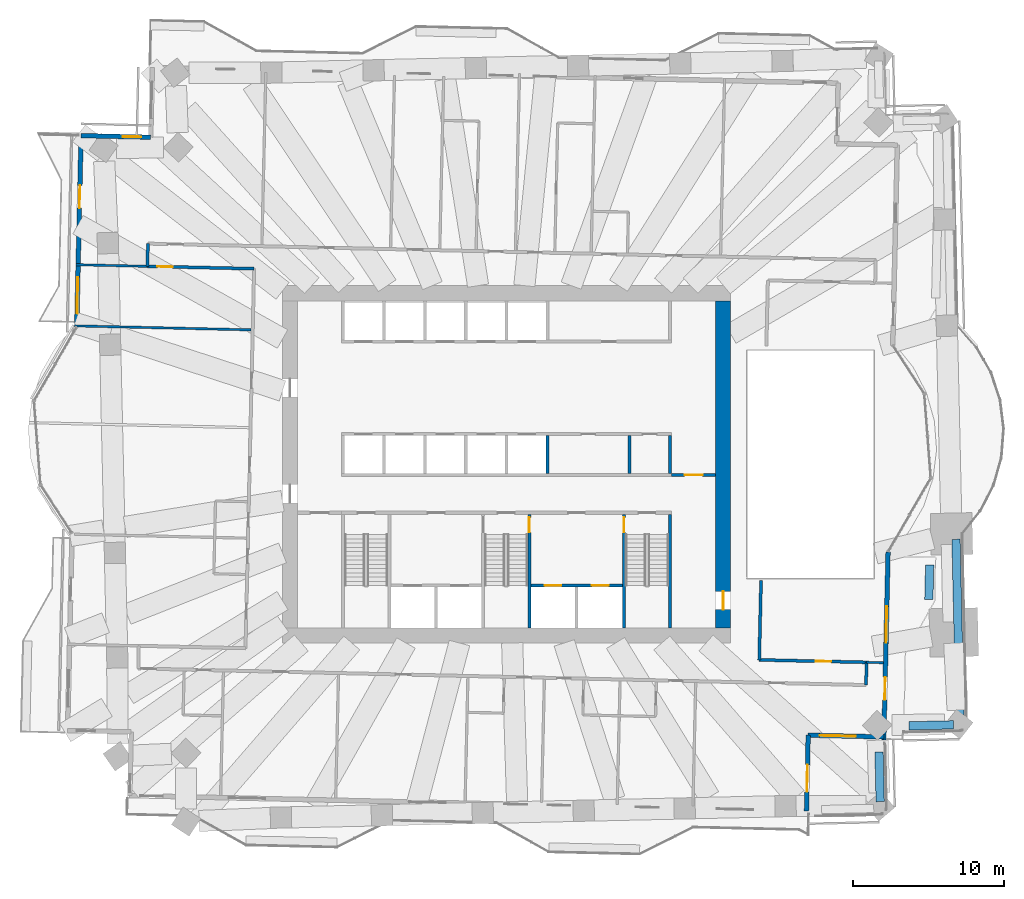
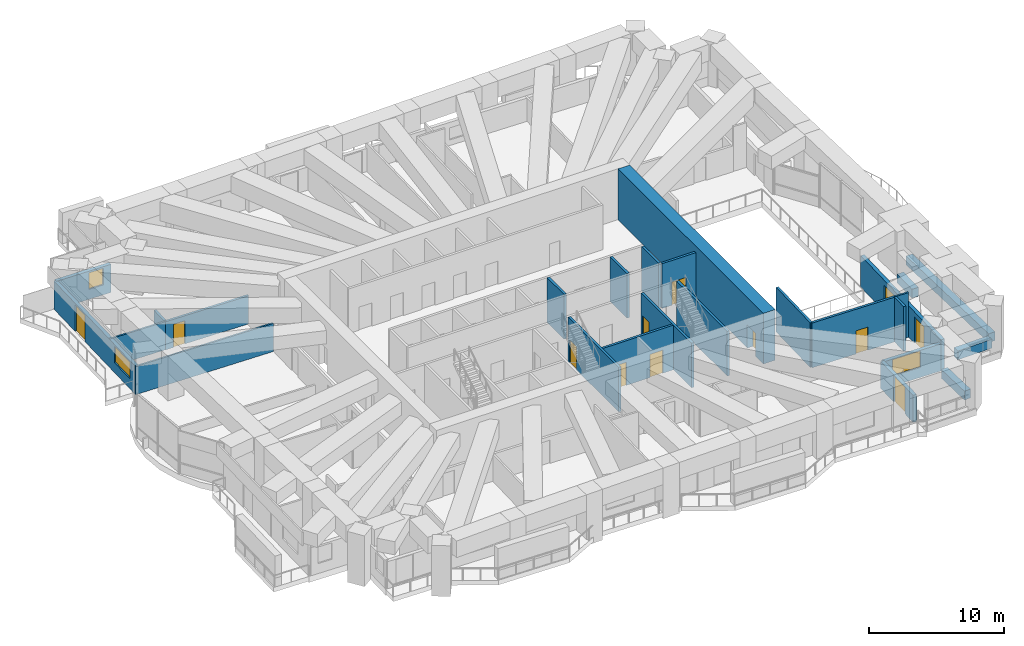
# One storey, part 12 of 20: 26 walls, 11 doors, 4 windows, 15 openings.
"""IFC4 building model written with IfcOpenShell, lengths in metres."""

from ifc_helpers import new_model, si_unit, direction, frame, frame_2d, origin, place, context, subcontext, project, spatial, rectangle, extrude, material, layer, layer_set, type_object, element, fill, save


model = new_model("IFC4")

# Units and contexts
model_context = context("Model", 3, precision=1e-05, world=origin(), true_north=direction((0.0, 1.0)))
body_context = subcontext(model_context, "Body", "Model", "MODEL_VIEW")
ifc_project = project(units=[si_unit("LENGTHUNIT", "METRE"), si_unit("AREAUNIT", "SQUARE_METRE"), si_unit("VOLUMEUNIT", "CUBIC_METRE"), si_unit("PLANEANGLEUNIT", "RADIAN"), si_unit("MASSUNIT", "GRAM", prefix="KILO")], contexts=[model_context])

# Site, building, storey
site_placement = place(None, origin())
site = spatial("IfcSite", under=ifc_project, at=site_placement, CompositionType="ELEMENT")
building_placement = place(site_placement, origin())
building = spatial("IfcBuilding", under=site, at=building_placement, Name="Mangrove Gate Tower", CompositionType="ELEMENT")
storey_placement = place(building_placement, frame((0.0, 0.0, 97.300048828125)))
storey = spatial("IfcBuildingStorey", under=building, at=storey_placement, Name="L24", CompositionType="ELEMENT", Elevation=97.300048828125)

# Wall, opening, door
ifc_material_1 = material(Name="Concrete C32/40", Category="concrete")
ifc_layer_1 = layer(ifc_material_1, 0.199951171875)
ifc_layer_set_1 = layer_set([ifc_layer_1], Name="Core lobby wall 200 C32/40")
wall_type_1 = type_object("IfcWallType", Name="Core lobby wall 200 C32/40", PredefinedType="STANDARD", material=ifc_layer_set_1)
wall_1_placement = place(storey_placement, frame((10.89990234375, -0.699951171875, 0.0), z_axis=(0.0, 0.0, 1.0), x_axis=(1.0, 0.0, 0.0)))
wall_1 = element("IfcWall", 1, at=wall_1_placement, inside=storey, type_object=wall_type_1, Name="WALL-L24-CORE-35", PredefinedType="STANDARD", context=body_context, shape_type="SweptSolid", body=[
    extrude(rectangle(XDim=2.900146484375, YDim=0.199951171875, at=frame_2d((1.4501953125, 0.0))), origin(), (0.0, 0.0, 1.0), 4.050048828125),
])
opening_1_placement = place(wall_1_placement, frame((0.85009765625, 0.0, 0.0)))
opening_1 = element("IfcOpeningElement", 2, at=opening_1_placement, cuts=wall_1, Name="Opening FL12", PredefinedType="OPENING", context=body_context, shape_type="SweptSolid", body=[
    extrude(rectangle(XDim=1.199951171875, YDim=2.10009765625, at=frame_2d((0.60009765625, 1.050048828125))), frame((0.0, 0.10986328125, 0.0), z_axis=(0.0, -1.0, 0.0), x_axis=(1.0, 0.0, 0.0)), (0.0, 0.0, 1.0), 0.219970703125),
])
ifc_material_2 = material(Name="Fire-rated steel door set", Category="steel")
door_type_1 = type_object("IfcDoorType", Name="Lobby door FD60 1200x2100", OperationType="SINGLE_SWING_LEFT", PredefinedType="DOOR", material=ifc_material_2)
door_1_placement = place(opening_1_placement, origin())
door_1 = element("IfcDoor", 3, at=door_1_placement, inside=storey, type_object=door_type_1, Name="Lobby door core corridor E partition", OperationType="SINGLE_SWING_LEFT", OverallHeight=2.10009765625, OverallWidth=1.199951171875, PredefinedType="DOOR", context=body_context, shape_type="SweptSolid", body=[
    extrude(rectangle(XDim=1.199951171875, YDim=2.10009765625, at=frame_2d((0.60009765625, 1.050048828125))), frame((0.0, 0.02490234375, 0.0), z_axis=(0.0, -1.0, 0.0), x_axis=(1.0, 0.0, 0.0)), (0.0, 0.0, 1.0), 0.050048828125),
])
fill(opening_1, door_1)

# Walls
ifc_material_3 = material(Name="Concrete C32/40", Category="concrete")
ifc_layer_2 = layer(ifc_material_3, 0.199951171875)
ifc_layer_set_2 = layer_set([ifc_layer_2], Name="Core room wall 200 C32/40")
wall_type_2 = type_object("IfcWallType", Name="Core room wall 200 C32/40", PredefinedType="STANDARD", material=ifc_layer_set_2)
for number, where, z_axis, x_axis, name in (
    (4, (8.10009765625, -0.60009765625, 0.0), (0.0, 0.0, 1.0), (0.0, 1.0, 0.0), "WALL-L24-CORE-25"),
    (5, (10.800048828125, -0.60009765625, 0.0), (0.0, 0.0, 1.0), (0.0, 1.0, 0.0), "WALL-L24-CORE-26"),
):
    element("IfcWall", number, at=place(storey_placement, frame(where, z_axis=z_axis, x_axis=x_axis)), inside=storey, type_object=wall_type_2, Name=name, PredefinedType="STANDARD", context=body_context, shape_type="SweptSolid", body=[
        extrude(rectangle(XDim=2.5, YDim=0.199951171875, at=frame_2d((1.25, 0.0))), origin(), (0.0, 0.0, 1.0), 4.050048828125),
    ])

# Wall, openings, doors
ifc_material_4 = material(Name="Concrete C70/85", Category="concrete")
ifc_layer_3 = layer(ifc_material_4, 0.199951171875)
ifc_layer_set_3 = layer_set([ifc_layer_3], Name="Core shaft wall 200 C70/85")
wall_type_3 = type_object("IfcWallType", Name="Core shaft wall 200 C70/85", PredefinedType="SHEAR", material=ifc_layer_set_3)
wall_2_placement = place(storey_placement, frame((1.60009765625, -8.0, 0.0), z_axis=(0.0, 0.0, 1.0), x_axis=(1.0, 0.0, 0.0)))
wall_2 = element("IfcWall", 6, at=wall_2_placement, inside=storey, type_object=wall_type_3, Name="WALL-L24-CORE-17", PredefinedType="SHEAR", context=body_context, shape_type="SweptSolid", body=[
    extrude(rectangle(XDim=6.0498046875, YDim=0.199951171875, at=frame_2d((3.02490234375, 0.0))), origin(), (0.0, 0.0, 1.0), 4.050048828125),
])
opening_2_placement = place(wall_2_placement, frame((0.91259765625, 0.0, 0.0)))
opening_2 = element("IfcOpeningElement", 7, at=opening_2_placement, cuts=wall_2, Name="Opening LD", PredefinedType="OPENING", context=body_context, shape_type="SweptSolid", body=[
    extrude(rectangle(XDim=1.10009765625, YDim=2.10009765625, at=frame_2d((0.550048828125, 1.050048828125))), frame((0.0, 0.10986328125, 0.0), z_axis=(0.0, -1.0, 0.0), x_axis=(1.0, 0.0, 0.0)), (0.0, 0.0, 1.0), 0.219970703125),
])
opening_3_placement = place(wall_2_placement, frame((4.03759765625, 0.0, 0.0)))
opening_3 = element("IfcOpeningElement", 8, at=opening_3_placement, cuts=wall_2, Name="Opening LD", PredefinedType="OPENING", context=body_context, shape_type="SweptSolid", body=[
    extrude(rectangle(XDim=1.10009765625, YDim=2.10009765625, at=frame_2d((0.550048828125, 1.050048828125))), frame((0.0, 0.10986328125, 0.0), z_axis=(0.0, -1.0, 0.0), x_axis=(1.0, 0.0, 0.0)), (0.0, 0.0, 1.0), 0.219970703125),
])
ifc_material_5 = material(Name="Stainless steel 316", Category="steel")
door_type_2 = type_object("IfcDoorType", Name="Lift landing door 1100x2100", OperationType="SLIDING_TO_LEFT", PredefinedType="DOOR", material=ifc_material_5)
door_2_placement = place(opening_2_placement, origin())
door_2 = element("IfcDoor", 9, at=door_2_placement, inside=storey, type_object=door_type_2, Name="Landing door LD FFL1", OperationType="SLIDING_TO_LEFT", OverallHeight=2.10009765625, OverallWidth=1.10009765625, PredefinedType="DOOR", context=body_context, shape_type="SweptSolid", body=[
    extrude(rectangle(XDim=1.10009765625, YDim=2.10009765625, at=frame_2d((0.550048828125, 1.050048828125))), frame((0.0, 0.02490234375, 0.0), z_axis=(0.0, -1.0, 0.0), x_axis=(1.0, 0.0, 0.0)), (0.0, 0.0, 1.0), 0.050048828125),
])
fill(opening_2, door_2)
door_3_placement = place(opening_3_placement, origin())
door_3 = element("IfcDoor", 10, at=door_3_placement, inside=storey, type_object=door_type_2, Name="Landing door LD FFL2", OperationType="SLIDING_TO_LEFT", OverallHeight=2.10009765625, OverallWidth=1.10009765625, PredefinedType="DOOR", context=body_context, shape_type="SweptSolid", body=[
    extrude(rectangle(XDim=1.10009765625, YDim=2.10009765625, at=frame_2d((0.550048828125, 1.050048828125))), frame((0.0, 0.02490234375, 0.0), z_axis=(0.0, -1.0, 0.0), x_axis=(1.0, 0.0, 0.0)), (0.0, 0.0, 1.0), 0.050048828125),
])
fill(opening_3, door_3)

# Wall
wall_3_placement = place(storey_placement, frame((2.699951171875, -0.60009765625, 0.0), z_axis=(0.0, 0.0, 1.0), x_axis=(0.0, 1.0, 0.0)))
element("IfcWall", 11, at=wall_3_placement, inside=storey, type_object=wall_type_3, Name="WALL-L24-CORE-24", PredefinedType="SHEAR", context=body_context, shape_type="SweptSolid", body=[
    extrude(rectangle(XDim=2.5, YDim=0.199951171875, at=frame_2d((1.25, 0.0))), origin(), (0.0, 0.0, 1.0), 4.050048828125),
])

# Wall, opening, door
ifc_material_6 = material(Name="Concrete C70/85", Category="concrete")
ifc_layer_4 = layer(ifc_material_6, 0.199951171875)
ifc_layer_set_4 = layer_set([ifc_layer_4], Name="Core stair wall 200 C70/85")
wall_type_4 = type_object("IfcWallType", Name="Core stair wall 200 C70/85", PredefinedType="SHEAR", material=ifc_layer_set_4)
wall_4_placement = place(storey_placement, frame((1.5, -10.800048828125, 0.0), z_axis=(0.0, 0.0, 1.0), x_axis=(0.0, 1.0, 0.0)))
wall_4 = element("IfcWall", 12, at=wall_4_placement, inside=storey, type_object=wall_type_4, Name="WALL-L24-CORE-12", PredefinedType="SHEAR", context=body_context, shape_type="SweptSolid", body=[
    extrude(rectangle(XDim=7.5, YDim=0.199951171875, at=frame_2d((3.75, 0.0))), origin(), (0.0, 0.0, 1.0), 4.050048828125),
])
opening_4_placement = place(wall_4_placement, frame((6.300048828125, 0.0, 0.0)))
opening_4 = element("IfcOpeningElement", 13, at=opening_4_placement, cuts=wall_4, Name="Opening STD10", PredefinedType="OPENING", context=body_context, shape_type="SweptSolid", body=[
    extrude(rectangle(XDim=1.0, YDim=2.10009765625, at=frame_2d((0.5, 1.050048828125))), frame((0.0, 0.10986328125, 0.0), z_axis=(0.0, -1.0, 0.0), x_axis=(1.0, 0.0, 0.0)), (0.0, 0.0, 1.0), 0.219970703125),
])
ifc_material_7 = material(Name="Fire-rated steel door set", Category="steel")
door_type_3 = type_object("IfcDoorType", Name="Stair door FD60 1000x2100", OperationType="SINGLE_SWING_RIGHT", PredefinedType="DOOR", material=ifc_material_7)
door_4_placement = place(opening_4_placement, origin())
door_4 = element("IfcDoor", 14, at=door_4_placement, inside=storey, type_object=door_type_3, Name="Stair door Stair 2 from fire-fighting lobby", OperationType="SINGLE_SWING_RIGHT", OverallHeight=2.10009765625, OverallWidth=1.0, PredefinedType="DOOR", context=body_context, shape_type="SweptSolid", body=[
    extrude(rectangle(XDim=1.0, YDim=2.10009765625, at=frame_2d((0.5, 1.050048828125))), frame((0.0, 0.02490234375, 0.0), z_axis=(0.0, -1.0, 0.0), x_axis=(1.0, 0.0, 0.0)), (0.0, 0.0, 1.0), 0.050048828125),
])
fill(opening_4, door_4)

wall_5_placement = place(storey_placement, frame((7.75, -10.800048828125, 0.0), z_axis=(0.0, 0.0, 1.0), x_axis=(0.0, 1.0, 0.0)))
wall_5 = element("IfcWall", 15, at=wall_5_placement, inside=storey, type_object=wall_type_4, Name="WALL-L24-CORE-13", PredefinedType="SHEAR", context=body_context, shape_type="SweptSolid", body=[
    extrude(rectangle(XDim=7.5, YDim=0.199951171875, at=frame_2d((3.75, 0.0))), origin(), (0.0, 0.0, 1.0), 4.050048828125),
])
opening_5_placement = place(wall_5_placement, frame((6.300048828125, 0.0, 0.0)))
opening_5 = element("IfcOpeningElement", 16, at=opening_5_placement, cuts=wall_5, Name="Opening STD10", PredefinedType="OPENING", context=body_context, shape_type="SweptSolid", body=[
    extrude(rectangle(XDim=1.0, YDim=2.10009765625, at=frame_2d((0.5, 1.050048828125))), frame((0.0, 0.10986328125, 0.0), z_axis=(0.0, -1.0, 0.0), x_axis=(1.0, 0.0, 0.0)), (0.0, 0.0, 1.0), 0.219970703125),
])
door_5_placement = place(opening_5_placement, origin())
door_5 = element("IfcDoor", 17, at=door_5_placement, inside=storey, type_object=door_type_3, Name="Stair door Stair 3 from fire-fighting lobby", OperationType="SINGLE_SWING_RIGHT", OverallHeight=2.10009765625, OverallWidth=1.0, PredefinedType="DOOR", context=body_context, shape_type="SweptSolid", body=[
    extrude(rectangle(XDim=1.0, YDim=2.10009765625, at=frame_2d((0.5, 1.050048828125))), frame((0.0, 0.02490234375, 0.0), z_axis=(0.0, -1.0, 0.0), x_axis=(1.0, 0.0, 0.0)), (0.0, 0.0, 1.0), 0.050048828125),
])
fill(opening_5, door_5)

# Wall
wall_6_placement = place(storey_placement, frame((10.800048828125, -10.800048828125, 0.0), z_axis=(0.0, 0.0, 1.0), x_axis=(0.0, 1.0, 0.0)))
element("IfcWall", 18, at=wall_6_placement, inside=storey, type_object=wall_type_4, Name="WALL-L24-CORE-14", PredefinedType="SHEAR", context=body_context, shape_type="SweptSolid", body=[
    extrude(rectangle(XDim=7.5, YDim=0.199951171875, at=frame_2d((3.75, 0.0))), origin(), (0.0, 0.0, 1.0), 4.050048828125),
])

# Wall, opening, door
ifc_material_8 = material(Name="Concrete C70/85", Category="concrete")
ifc_layer_5 = layer(ifc_material_8, 1.0)
ifc_layer_set_5 = layer_set([ifc_layer_5], Name="Core wall 1000 C70/85")
wall_type_5 = type_object("IfcWallType", Name="Core wall 1000 C70/85", PredefinedType="SHEAR", material=ifc_layer_set_5)
wall_7_placement = place(storey_placement, frame((14.300048828125, -10.800048828125, 0.0), z_axis=(0.0, 0.0, 1.0), x_axis=(0.0, 1.0, 0.0)))
wall_7 = element("IfcWall", 19, at=wall_7_placement, inside=storey, type_object=wall_type_5, Name="WALL-L24-CORE-4", PredefinedType="SHEAR", context=body_context, shape_type="SweptSolid", body=[
    extrude(rectangle(XDim=21.60009765625, YDim=1.0, at=frame_2d((10.800048828125, 0.0))), origin(), (0.0, 0.0, 1.0), 4.599853515625),
])
opening_6_placement = place(wall_7_placement, frame((1.199951171875, 0.0, 0.0)))
opening_6 = element("IfcOpeningElement", 20, at=opening_6_placement, cuts=wall_7, Name="Opening CD", PredefinedType="OPENING", context=body_context, shape_type="SweptSolid", body=[
    extrude(rectangle(XDim=1.199951171875, YDim=2.10009765625, at=frame_2d((0.60009765625, 1.050048828125))), frame((0.0, 0.510009765625, 0.0), z_axis=(0.0, -1.0, 0.0), x_axis=(1.0, 0.0, 0.0)), (0.0, 0.0, 1.0), 1.02001953125),
])
ifc_material_9 = material(Name="Fire-rated steel door set", Category="steel")
door_type_4 = type_object("IfcDoorType", Name="Core ring door FD60 1200x2100", OperationType="DOUBLE_DOOR_SINGLE_SWING", PredefinedType="DOOR", material=ifc_material_9)
door_6_placement = place(opening_6_placement, origin())
door_6 = element("IfcDoor", 21, at=door_6_placement, inside=storey, type_object=door_type_4, Name="Core ring door E1", OperationType="DOUBLE_DOOR_SINGLE_SWING", OverallHeight=2.10009765625, OverallWidth=1.199951171875, PredefinedType="DOOR", context=body_context, shape_type="SweptSolid", body=[
    extrude(rectangle(XDim=1.199951171875, YDim=2.10009765625, at=frame_2d((0.60009765625, 1.050048828125))), frame((0.0, 0.02490234375, 0.0), z_axis=(0.0, -1.0, 0.0), x_axis=(1.0, 0.0, 0.0)), (0.0, 0.0, 1.0), 0.050048828125),
])
fill(opening_6, door_6)

# Wall
ifc_material_10 = material(Name="Gypsum board on steel stud, EI 60", Category="steel")
ifc_layer_6 = layer(ifc_material_10, 0.199951171875)
ifc_layer_set_6 = layer_set([ifc_layer_6], Name="Corridor wall EI 60")
wall_type_6 = type_object("IfcWallType", Name="Corridor wall EI 60", PredefinedType="PARTITIONING", material=ifc_layer_set_6)
wall_8_placement = place(storey_placement, frame((23.738037109375, -14.5791015625, 0.0), z_axis=(0.0, 0.0, 1.0), x_axis=(0.022617910375, 0.999744182344, 0.0)))
element("IfcWall", 22, at=wall_8_placement, inside=storey, type_object=wall_type_6, Name="WALL-L24-016", PredefinedType="PARTITIONING", context=body_context, shape_type="SweptSolid", body=[
    extrude(rectangle(XDim=1.50048828125, YDim=0.199951171875, at=frame_2d((0.750244140625, 0.0))), origin(), (0.0, 0.0, 1.0), 4.050048828125),
])

# Wall, opening, door
wall_9_placement = place(storey_placement, frame((16.678955078125, -12.91796875, 0.0), z_axis=(0.0, 0.0, 1.0), x_axis=(0.999739218926, -0.02283624622, 0.0)))
wall_9 = element("IfcWall", 23, at=wall_9_placement, inside=storey, type_object=wall_type_6, Name="WALL-L24-020", PredefinedType="PARTITIONING", context=body_context, shape_type="SweptSolid", body=[
    extrude(rectangle(XDim=7.098876953125, YDim=0.199951171875, at=frame_2d((3.54931640625, 0.0))), origin(), (0.0, 0.0, 1.0), 4.050048828125),
])
opening_7_placement = place(wall_9_placement, frame((3.7490234375, 0.0, 0.0)))
opening_7 = element("IfcOpeningElement", 24, at=opening_7_placement, cuts=wall_9, Name="Opening AD", PredefinedType="OPENING", context=body_context, shape_type="SweptSolid", body=[
    extrude(rectangle(XDim=1.0, YDim=2.10009765625, at=frame_2d((0.5, 1.050048828125))), frame((0.0, 0.10986328125, 0.0), z_axis=(0.0, -1.0, 0.0), x_axis=(1.0, 0.0, 0.0)), (0.0, 0.0, 1.0), 0.219970703125),
])
ifc_material_11 = material(Name="Timber door leaf", Category="wood")
door_type_5 = type_object("IfcDoorType", Name="Amenity door 1000", OperationType="SINGLE_SWING_LEFT", PredefinedType="DOOR", material=ifc_material_11)
door_7_placement = place(opening_7_placement, origin())
door_7 = element("IfcDoor", 25, at=door_7_placement, inside=storey, type_object=door_type_5, Name="DOOR-L24-LNG-c4a", OperationType="SINGLE_SWING_LEFT", OverallHeight=2.10009765625, OverallWidth=1.0, PredefinedType="DOOR", context=body_context, shape_type="SweptSolid", body=[
    extrude(rectangle(XDim=1.0, YDim=2.10009765625, at=frame_2d((0.5, 1.050048828125))), frame((0.0, 0.02490234375, 0.0), z_axis=(0.0, -1.0, 0.0), x_axis=(1.0, 0.0, 0.0)), (0.0, 0.0, 1.0), 0.050048828125),
])
fill(opening_7, door_7)

# Wall
wall_10_placement = place(storey_placement, frame((16.68408203125, -12.9189453125, 0.0), z_axis=(0.0, 0.0, 1.0), x_axis=(0.022667483124, 0.999743059595, 0.0)))
element("IfcWall", 26, at=wall_10_placement, inside=storey, type_object=wall_type_6, Name="WALL-L24-021", PredefinedType="PARTITIONING", context=body_context, shape_type="SweptSolid", body=[
    extrude(rectangle(XDim=5.245361328125, YDim=0.199951171875, at=frame_2d((2.62255859375, 0.0))), origin(), (0.0, 0.0, 1.0), 4.050048828125),
])

# Wall, opening, door
wall_11_placement = place(storey_placement, frame((-23.72900390625, 13.074951171875, 0.0), z_axis=(0.0, 0.0, 1.0), x_axis=(0.999742853322, -0.022676578901, 0.0)))
wall_11 = element("IfcWall", 27, at=wall_11_placement, inside=storey, type_object=wall_type_6, Name="WALL-L24-031", PredefinedType="PARTITIONING", context=body_context, shape_type="SweptSolid", body=[
    extrude(rectangle(XDim=7.0517578125, YDim=0.199951171875, at=frame_2d((3.52587890625, 0.0))), origin(), (0.0, 0.0, 1.0), 2.550048828125),
])
opening_8_placement = place(wall_11_placement, frame((0.666015625, 0.0, 0.0)))
opening_8 = element("IfcOpeningElement", 28, at=opening_8_placement, cuts=wall_11, Name="Opening AD", PredefinedType="OPENING", context=body_context, shape_type="SweptSolid", body=[
    extrude(rectangle(XDim=1.0, YDim=2.10009765625, at=frame_2d((0.5, 1.050048828125))), frame((0.0, 0.10986328125, 0.0), z_axis=(0.0, -1.0, 0.0), x_axis=(1.0, 0.0, 0.0)), (0.0, 0.0, 1.0), 0.219970703125),
])
door_8_placement = place(opening_8_placement, origin())
door_8 = element("IfcDoor", 29, at=door_8_placement, inside=storey, type_object=door_type_5, Name="DOOR-L24-KIT-c5a", OperationType="SINGLE_SWING_RIGHT", OverallHeight=2.10009765625, OverallWidth=1.0, PredefinedType="DOOR", context=body_context, shape_type="SweptSolid", body=[
    extrude(rectangle(XDim=1.0, YDim=2.10009765625, at=frame_2d((0.5, 1.050048828125))), frame((0.0, 0.02490234375, 0.0), z_axis=(0.0, -1.0, 0.0), x_axis=(1.0, 0.0, 0.0)), (0.0, 0.0, 1.0), 0.050048828125),
])
fill(opening_8, door_8)

# Wall
wall_12_placement = place(storey_placement, frame((-23.72607421875, 13.0791015625, 0.0), z_axis=(0.0, 0.0, 1.0), x_axis=(0.022780545013, 0.999740489712, 0.0)))
element("IfcWall", 30, at=wall_12_placement, inside=storey, type_object=wall_type_6, Name="WALL-L24-034", PredefinedType="PARTITIONING", context=body_context, shape_type="SweptSolid", body=[
    extrude(rectangle(XDim=1.50048828125, YDim=0.199951171875, at=frame_2d((0.750244140625, 0.0))), origin(), (0.0, 0.0, 1.0), 2.64990234375),
])

# Wall, openings, door, window
ifc_material_12 = material(Name="Limestone", Category="masonry")
ifc_layer_7 = layer(ifc_material_12, 0.0400390625, Name="Limestone cladding")
ifc_material_13 = material(Name="Ventilated air gap")
ifc_layer_8 = layer(ifc_material_13, 0.0400390625, Name="Ventilated cavity")
ifc_material_14 = material(Name="Mineral wool insulation")
ifc_layer_9 = layer(ifc_material_14, 0.06005859375, Name="Insulation")
ifc_material_15 = material(Name="Breather membrane")
ifc_layer_10 = layer(ifc_material_15, 0.001953125, Name="Breather membrane")
ifc_material_16 = material(Name="Concrete C20/25 blockwork", Category="masonry")
ifc_layer_11 = layer(ifc_material_16, 0.14990234375, Name="Blockwork backing wall")
ifc_material_17 = material(Name="Gypsum plaster")
ifc_layer_12 = layer(ifc_material_17, 0.008056640625, Name="Internal plaster")
ifc_layer_set_7 = layer_set([ifc_layer_7, ifc_layer_8, ifc_layer_9, ifc_layer_10, ifc_layer_11, ifc_layer_12], Name="External wall 300 limestone cladding")
wall_type_7 = type_object("IfcWallType", Name="External wall 300 limestone cladding", PredefinedType="SOLIDWALL", material=ifc_layer_set_7)
wall_13_placement = place(storey_placement, frame((24.910888671875, -18.197021484375, 0.0), z_axis=(0.0, 0.0, 1.0), x_axis=(0.022624958127, 0.999744022873, 0.0)))
wall_13 = element("IfcWall", 31, at=wall_13_placement, inside=storey, type_object=wall_type_7, Name="WALL-L24-E0s1", PredefinedType="SOLIDWALL", context=body_context, shape_type="SweptSolid", body=[
    extrude(rectangle(XDim=12.420166015625, YDim=0.300048828125, at=frame_2d((6.2099609375, 0.0))), origin(), (0.0, 0.0, 1.0), 2.849853515625),
])
opening_9_placement = place(wall_13_placement, frame((2.636962890625, 0.0, 0.0)))
opening_9 = element("IfcOpeningElement", 32, at=opening_9_placement, cuts=wall_13, Name="Opening BD1", PredefinedType="OPENING", context=body_context, shape_type="SweptSolid", body=[
    extrude(rectangle(XDim=1.5, YDim=2.39990234375, at=frame_2d((0.75, 1.199951171875))), frame((0.0, 0.159912109375, 0.0), z_axis=(0.0, -1.0, 0.0), x_axis=(1.0, 0.0, 0.0)), (0.0, 0.0, 1.0), 0.320068359375),
])
opening_10_placement = place(wall_13_placement, frame((6.410888671875, 0.0, 0.89990234375)))
opening_10 = element("IfcOpeningElement", 33, at=opening_10_placement, cuts=wall_13, Name="Opening W2", PredefinedType="OPENING", context=body_context, shape_type="SweptSolid", body=[
    extrude(rectangle(XDim=2.39990234375, YDim=1.5, at=frame_2d((1.199951171875, 0.75))), frame((0.0, 0.159912109375, 0.0), z_axis=(0.0, -1.0, 0.0), x_axis=(1.0, 0.0, 0.0)), (0.0, 0.0, 1.0), 0.320068359375),
])
ifc_material_18 = material(Name="Aluminium frame with laminated clear glass", Category="aluminium")
door_type_6 = type_object("IfcDoorType", Name="Balcony sliding door 1500x2400", OperationType="SLIDING_TO_LEFT", PredefinedType="DOOR", material=ifc_material_18)
door_9_placement = place(opening_9_placement, origin())
door_9 = element("IfcDoor", 34, at=door_9_placement, inside=storey, type_object=door_type_6, Name="DOOR-L24-E0-1", OperationType="SLIDING_TO_LEFT", OverallHeight=2.39990234375, OverallWidth=1.5, PredefinedType="DOOR", context=body_context, shape_type="SweptSolid", body=[
    extrude(rectangle(XDim=1.5, YDim=2.39990234375, at=frame_2d((0.75, 1.199951171875))), frame((0.0, 0.02490234375, 0.0), z_axis=(0.0, -1.0, 0.0), x_axis=(1.0, 0.0, 0.0)), (0.0, 0.0, 1.0), 0.050048828125),
])
fill(opening_9, door_9)
ifc_material_19 = material(Name="Aluminium frame with double-glazed low-e glass", Category="aluminium")
window_type_1 = type_object("IfcWindowType", Name="Corner room window 2400x1500", PartitioningType="DOUBLE_PANEL_VERTICAL", PredefinedType="WINDOW", material=ifc_material_19)
window_1_placement = place(opening_10_placement, origin())
window_1 = element("IfcWindow", 35, at=window_1_placement, inside=storey, type_object=window_type_1, Name="WIN-L24-E0-2", OverallHeight=1.5, OverallWidth=2.39990234375, PartitioningType="DOUBLE_PANEL_VERTICAL", PredefinedType="WINDOW", context=body_context, shape_type="SweptSolid", body=[
    extrude(rectangle(XDim=2.39990234375, YDim=1.5, at=frame_2d((1.199951171875, 0.75))), frame((0.0, 0.030029296875, 0.0), z_axis=(0.0, -1.0, 0.0), x_axis=(1.0, 0.0, 0.0)), (0.0, 0.0, 1.0), 0.06005859375),
])
fill(opening_10, window_1)

# Wall, opening, window
wall_14_placement = place(storey_placement, frame((-23.507080078125, 21.60205078125, 0.0), z_axis=(0.0, 0.0, 1.0), x_axis=(-0.999739556364, 0.022821468877, 0.0)))
wall_14 = element("IfcWall", 36, at=wall_14_placement, inside=storey, type_object=wall_type_7, Name="WALL-L24-N7", PredefinedType="SOLIDWALL", context=body_context, shape_type="SweptSolid", body=[
    extrude(rectangle(XDim=4.60009765625, YDim=0.300048828125, at=frame_2d((2.300048828125, 0.0))), origin(), (0.0, 0.0, 1.0), 2.550048828125),
])
opening_11_placement = place(wall_14_placement, frame((0.635986328125, 0.0, 0.89990234375)))
opening_11 = element("IfcOpeningElement", 37, at=opening_11_placement, cuts=wall_14, Name="Opening W1", PredefinedType="OPENING", context=body_context, shape_type="SweptSolid", body=[
    extrude(rectangle(XDim=1.199951171875, YDim=1.5, at=frame_2d((0.60009765625, 0.75))), frame((0.0, 0.159912109375, 0.0), z_axis=(0.0, -1.0, 0.0), x_axis=(1.0, 0.0, 0.0)), (0.0, 0.0, 1.0), 0.320068359375),
])
ifc_material_20 = material(Name="Aluminium frame with double-glazed low-e glass", Category="aluminium")
window_type_2 = type_object("IfcWindowType", Name="Side lite 1200x1500", PartitioningType="SINGLE_PANEL", PredefinedType="WINDOW", material=ifc_material_20)
window_2_placement = place(opening_11_placement, origin())
window_2 = element("IfcWindow", 38, at=window_2_placement, inside=storey, type_object=window_type_2, Name="WIN-L24-N7-1", OverallHeight=1.5, OverallWidth=1.199951171875, PartitioningType="SINGLE_PANEL", PredefinedType="WINDOW", context=body_context, shape_type="SweptSolid", body=[
    extrude(rectangle(XDim=1.199951171875, YDim=1.5, at=frame_2d((0.60009765625, 0.75))), frame((0.0, 0.030029296875, 0.0), z_axis=(0.0, -1.0, 0.0), x_axis=(1.0, 0.0, 0.0)), (0.0, 0.0, 1.0), 0.06005859375),
])
fill(opening_11, window_2)

# Wall, openings, door, window
wall_15_placement = place(storey_placement, frame((-28.10595703125, 21.70703125, 0.0), z_axis=(0.0, 0.0, 1.0), x_axis=(-0.022654663697, -0.999743350172, 0.0)))
wall_15 = element("IfcWall", 39, at=wall_15_placement, inside=storey, type_object=wall_type_7, Name="WALL-L24-W8", PredefinedType="SOLIDWALL", context=body_context, shape_type="SweptSolid", body=[
    extrude(rectangle(XDim=12.630126953125, YDim=0.300048828125, at=frame_2d((6.31494140625, 0.0))), origin(), (0.0, 0.0, 1.0), 2.550048828125),
])
opening_12_placement = place(wall_15_placement, frame((3.287109375, 0.0, 0.0)))
opening_12 = element("IfcOpeningElement", 40, at=opening_12_placement, cuts=wall_15, Name="Opening BD1", PredefinedType="OPENING", context=body_context, shape_type="SweptSolid", body=[
    extrude(rectangle(XDim=1.5, YDim=2.39990234375, at=frame_2d((0.75, 1.199951171875))), frame((0.0, 0.159912109375, 0.0), z_axis=(0.0, -1.0, 0.0), x_axis=(1.0, 0.0, 0.0)), (0.0, 0.0, 1.0), 0.320068359375),
])
opening_13_placement = place(wall_15_placement, frame((9.35009765625, 0.0, 0.89990234375)))
opening_13 = element("IfcOpeningElement", 41, at=opening_13_placement, cuts=wall_15, Name="Opening W2", PredefinedType="OPENING", context=body_context, shape_type="SweptSolid", body=[
    extrude(rectangle(XDim=2.39990234375, YDim=1.5, at=frame_2d((1.199951171875, 0.75))), frame((0.0, 0.159912109375, 0.0), z_axis=(0.0, -1.0, 0.0), x_axis=(1.0, 0.0, 0.0)), (0.0, 0.0, 1.0), 0.320068359375),
])
door_10_placement = place(opening_12_placement, origin())
door_10 = element("IfcDoor", 42, at=door_10_placement, inside=storey, type_object=door_type_6, Name="DOOR-L24-W8-1", OperationType="SLIDING_TO_LEFT", OverallHeight=2.39990234375, OverallWidth=1.5, PredefinedType="DOOR", context=body_context, shape_type="SweptSolid", body=[
    extrude(rectangle(XDim=1.5, YDim=2.39990234375, at=frame_2d((0.75, 1.199951171875))), frame((0.0, 0.02490234375, 0.0), z_axis=(0.0, -1.0, 0.0), x_axis=(1.0, 0.0, 0.0)), (0.0, 0.0, 1.0), 0.050048828125),
])
fill(opening_12, door_10)
window_3_placement = place(opening_13_placement, origin())
window_3 = element("IfcWindow", 43, at=window_3_placement, inside=storey, type_object=window_type_1, Name="WIN-L24-W8-2", OverallHeight=1.5, OverallWidth=2.39990234375, PartitioningType="DOUBLE_PANEL_VERTICAL", PredefinedType="WINDOW", context=body_context, shape_type="SweptSolid", body=[
    extrude(rectangle(XDim=2.39990234375, YDim=1.5, at=frame_2d((1.199951171875, 0.75))), frame((0.0, 0.030029296875, 0.0), z_axis=(0.0, -1.0, 0.0), x_axis=(1.0, 0.0, 0.0)), (0.0, 0.0, 1.0), 0.06005859375),
])
fill(opening_13, window_3)

# Wall, opening, door
wall_16_placement = place(storey_placement, frame((19.802978515625, -22.89208984375, 0.0), z_axis=(0.0, 0.0, 1.0), x_axis=(0.022606059803, 0.999744450377, 0.0)))
wall_16 = element("IfcWall", 44, at=wall_16_placement, inside=storey, type_object=wall_type_7, Name="WALL-L24-E14", PredefinedType="SOLIDWALL", context=body_context, shape_type="SweptSolid", body=[
    extrude(rectangle(XDim=5.000244140625, YDim=0.300048828125, at=frame_2d((2.5, 0.0))), origin(), (0.0, 0.0, 1.0), 2.449951171875),
])
opening_14_placement = place(wall_16_placement, frame((1.25, 0.0, 0.0)))
opening_14 = element("IfcOpeningElement", 45, at=opening_14_placement, cuts=wall_16, Name="Opening TD1", PredefinedType="OPENING", context=body_context, shape_type="SweptSolid", body=[
    extrude(rectangle(XDim=1.800048828125, YDim=2.39990234375, at=frame_2d((0.89990234375, 1.199951171875))), frame((0.0, 0.159912109375, 0.0), z_axis=(0.0, -1.0, 0.0), x_axis=(1.0, 0.0, 0.0)), (0.0, 0.0, 1.0), 0.320068359375),
])
ifc_material_21 = material(Name="Aluminium frame with laminated clear glass", Category="aluminium")
door_type_7 = type_object("IfcDoorType", Name="Terrace door 1800x2400", OperationType="DOUBLE_DOOR_SINGLE_SWING", PredefinedType="DOOR", material=ifc_material_21)
door_11_placement = place(opening_14_placement, origin())
door_11 = element("IfcDoor", 46, at=door_11_placement, inside=storey, type_object=door_type_7, Name="DOOR-L24-E14-1", OperationType="DOUBLE_DOOR_SINGLE_SWING", OverallHeight=2.39990234375, OverallWidth=1.800048828125, PredefinedType="DOOR", context=body_context, shape_type="SweptSolid", body=[
    extrude(rectangle(XDim=1.800048828125, YDim=2.39990234375, at=frame_2d((0.89990234375, 1.199951171875))), frame((0.0, 0.02490234375, 0.0), z_axis=(0.0, -1.0, 0.0), x_axis=(1.0, 0.0, 0.0)), (0.0, 0.0, 1.0), 0.050048828125),
])
fill(opening_14, door_11)

# Wall, opening, window
wall_17_placement = place(storey_placement, frame((19.916015625, -17.89306640625, 0.0), z_axis=(0.0, 0.0, 1.0), x_axis=(0.99974228708, -0.022701529129, 0.0)))
wall_17 = element("IfcWall", 47, at=wall_17_placement, inside=storey, type_object=wall_type_7, Name="WALL-L24-S15s1", PredefinedType="SOLIDWALL", context=body_context, shape_type="SweptSolid", body=[
    extrude(rectangle(XDim=5.022216796875, YDim=0.300048828125, at=frame_2d((2.51123046875, 0.0))), origin(), (0.0, 0.0, 1.0), 2.449951171875),
])
opening_15_placement = place(wall_17_placement, frame((0.7529296875, 0.0, 0.89990234375)))
opening_15 = element("IfcOpeningElement", 48, at=opening_15_placement, cuts=wall_17, Name="Opening W2", PredefinedType="OPENING", context=body_context, shape_type="SweptSolid", body=[
    extrude(rectangle(XDim=2.39990234375, YDim=1.5, at=frame_2d((1.199951171875, 0.75))), frame((0.0, 0.159912109375, 0.0), z_axis=(0.0, -1.0, 0.0), x_axis=(1.0, 0.0, 0.0)), (0.0, 0.0, 1.0), 0.320068359375),
])
window_4_placement = place(opening_15_placement, origin())
window_4 = element("IfcWindow", 49, at=window_4_placement, inside=storey, type_object=window_type_1, Name="WIN-L24-S15-1", OverallHeight=1.5, OverallWidth=2.39990234375, PartitioningType="DOUBLE_PANEL_VERTICAL", PredefinedType="WINDOW", context=body_context, shape_type="SweptSolid", body=[
    extrude(rectangle(XDim=2.39990234375, YDim=1.5, at=frame_2d((1.199951171875, 0.75))), frame((0.0, 0.030029296875, 0.0), z_axis=(0.0, -1.0, 0.0), x_axis=(1.0, 0.0, 0.0)), (0.0, 0.0, 1.0), 0.06005859375),
])
fill(opening_15, window_4)

# Walls
ifc_material_22 = material(Name="Gypsum board on steel stud, EI 60", Category="steel")
ifc_layer_13 = layer(ifc_material_22, 0.14990234375)
ifc_layer_set_8 = layer_set([ifc_layer_13], Name="Party wall 150 EI 60")
wall_type_8 = type_object("IfcWallType", Name="Party wall 150 EI 60", PredefinedType="PARTITIONING", material=ifc_layer_set_8)
wall_18_placement = place(storey_placement, frame((23.77197265625, -13.0791015625, 0.0), z_axis=(0.0, 0.0, 1.0), x_axis=(0.999745701647, -0.022550654924, 0.0)))
element("IfcWall", 50, at=wall_18_placement, inside=storey, type_object=wall_type_8, Name="WALL-L24-022", PredefinedType="PARTITIONING", context=body_context, shape_type="SweptSolid", body=[
    extrude(rectangle(XDim=1.104248046875, YDim=0.14990234375, at=frame_2d((0.55224609375, 0.0))), origin(), (0.0, 0.0, 1.0), 4.050048828125),
])
wall_19_placement = place(storey_placement, frame((-28.541015625, 9.14306640625, 0.0), z_axis=(0.0, 0.0, 1.0), x_axis=(0.999742008279, -0.022713803786, 0.0)))
element("IfcWall", 51, at=wall_19_placement, inside=storey, type_object=wall_type_8, Name="WALL-L24-029", PredefinedType="PARTITIONING", context=body_context, shape_type="SweptSolid", body=[
    extrude(rectangle(XDim=11.6728515625, YDim=0.14990234375, at=frame_2d((5.83642578125, 0.0))), origin(), (0.0, 0.0, 1.0), 2.550048828125),
])
wall_20_placement = place(storey_placement, frame((-28.448974609375, 13.181884765625, 0.0), z_axis=(0.0, 0.0, 1.0), x_axis=(0.999743885417, -0.022631031155, 0.0)))
element("IfcWall", 52, at=wall_20_placement, inside=storey, type_object=wall_type_8, Name="WALL-L24-030", PredefinedType="PARTITIONING", context=body_context, shape_type="SweptSolid", body=[
    extrude(rectangle(XDim=4.72509765625, YDim=0.14990234375, at=frame_2d((2.362548828125, 0.0))), origin(), (0.0, 0.0, 1.0), 2.550048828125),
])
ifc_material_23 = material(Name="Concrete C32/40", Category="concrete")
ifc_layer_14 = layer(ifc_material_23, 0.199951171875, Name="Planter trough wall")
ifc_material_24 = material(Name="Bituminous waterproofing membrane")
ifc_layer_15 = layer(ifc_material_24, 0.0048828125, Name="Waterproofing")
ifc_material_25 = material(Name="Drainage board and gravel")
ifc_layer_16 = layer(ifc_material_25, 0.044921875, Name="Drainage layer")
ifc_material_26 = material(Name="Planting soil")
ifc_layer_17 = layer(ifc_material_26, 0.300048828125, Name="Growing medium")
ifc_layer_set_9 = layer_set([ifc_layer_14, ifc_layer_15, ifc_layer_16, ifc_layer_17], Name="Planter wall 550 C32/40")
wall_type_9 = type_object("IfcWallType", Name="Planter wall 550 C32/40", PredefinedType="USERDEFINED", material=ifc_layer_set_9)
wall_21_placement = place(storey_placement, frame((27.885986328125, -8.922119140625, 0.0), z_axis=(0.0, 0.0, 1.0), x_axis=(0.023289440883, 0.999728764187, 0.0)))
element("IfcWall", 53, at=wall_21_placement, inside=storey, type_object=wall_type_9, Name="PLANTER L24 E0.1", ObjectType="PLANTER", PredefinedType="USERDEFINED", context=body_context, shape_type="SweptSolid", body=[
    extrude(rectangle(XDim=2.27490234375, YDim=0.550048828125, at=frame_2d((1.137451171875, 0.0))), origin(), (0.0, 0.0, 1.0), 0.800048828125),
])
wall_22_placement = place(storey_placement, frame((29.677978515625, -4.951904296875, 0.0), z_axis=(0.0, 0.0, 1.0), x_axis=(0.022692298782, -0.999742496634, 0.0)))
element("IfcWall", 54, at=wall_22_placement, inside=storey, type_object=wall_type_9, Name="PLANTER L24 T1.2.33", ObjectType="PLANTER", PredefinedType="USERDEFINED", context=body_context, shape_type="SweptSolid", body=[
    extrude(rectangle(XDim=11.81298828125, YDim=0.550048828125, at=frame_2d((5.906494140625, 0.0))), origin(), (0.0, 0.0, 1.0), 0.800048828125),
])
wall_23_placement = place(storey_placement, frame((29.52099609375, -17.2060546875, 0.0), z_axis=(0.0, 0.0, 1.0), x_axis=(-0.999742647035, -0.022685671659, 0.0)))
element("IfcWall", 55, at=wall_23_placement, inside=storey, type_object=wall_type_9, Name="PLANTER L24 T1.3.6", ObjectType="PLANTER", PredefinedType="USERDEFINED", context=body_context, shape_type="SweptSolid", body=[
    extrude(rectangle(XDim=2.94873046875, YDim=0.550048828125, at=frame_2d((1.474365234375, 0.0))), origin(), (0.0, 0.0, 1.0), 0.800048828125),
])
wall_24_placement = place(storey_placement, frame((24.594970703125, -18.9951171875, 0.0), z_axis=(0.0, 0.0, 1.0), x_axis=(0.022790544321, -0.999740261813, 0.0)))
element("IfcWall", 56, at=wall_24_placement, inside=storey, type_object=wall_type_9, Name="PLANTER L24 T2.1.6", ObjectType="PLANTER", PredefinedType="USERDEFINED", context=body_context, shape_type="SweptSolid", body=[
    extrude(rectangle(XDim=3.28857421875, YDim=0.550048828125, at=frame_2d((1.644287109375, 0.0))), origin(), (0.0, 0.0, 1.0), 0.800048828125),
])

save(model, "model.ifc")
